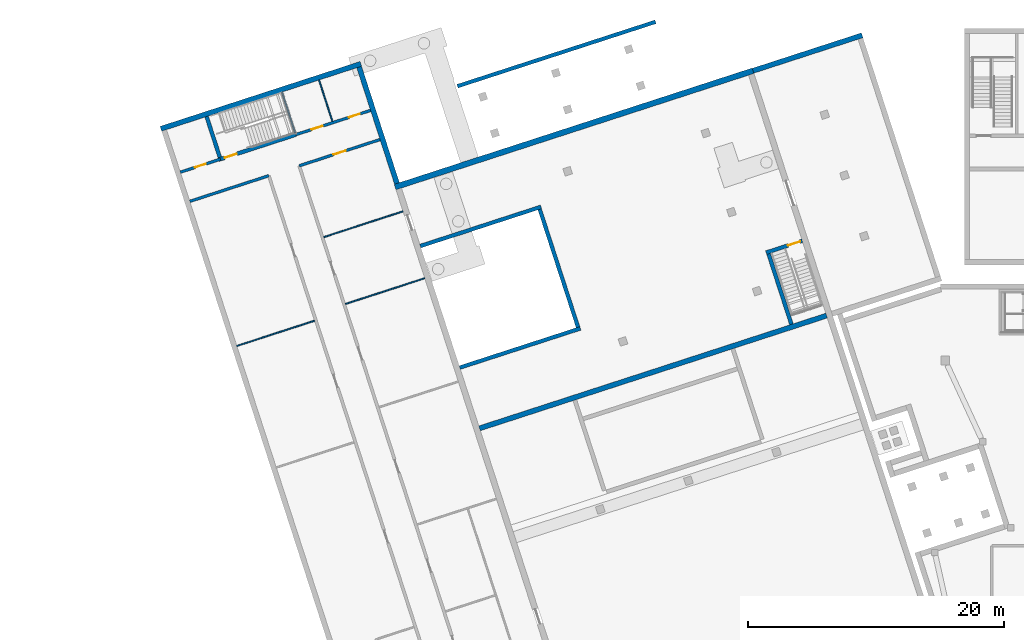
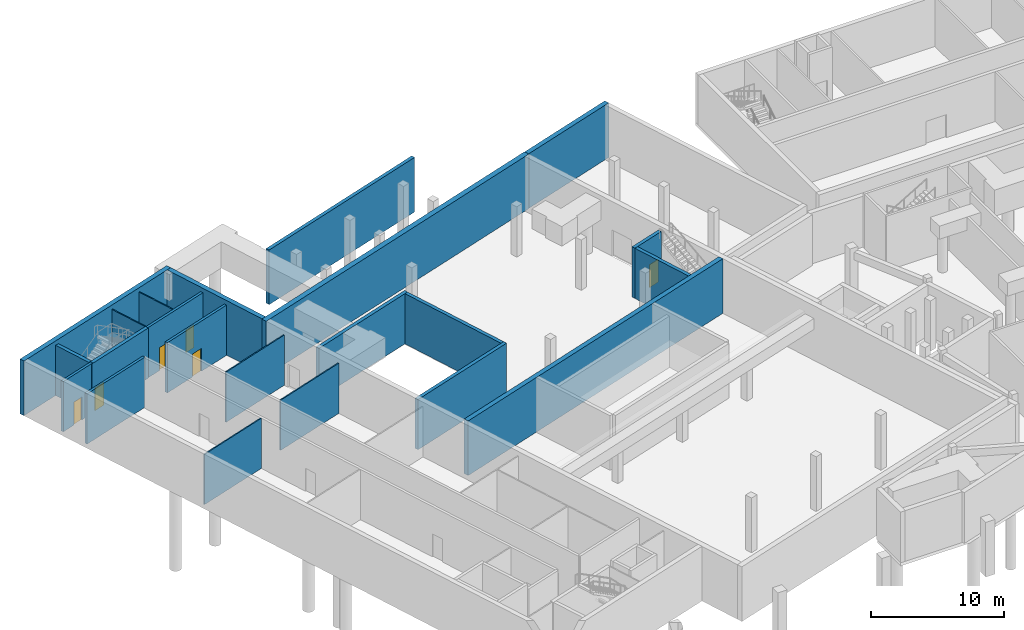
# One storey, part 7 of 15: 22 walls, 6 doors, 6 openings.
"""IFC4 building model written with IfcOpenShell, lengths in metres."""

from ifc_helpers import new_model, si_unit, direction, frame, frame_2d, origin, place, context, subcontext, project, spatial, rectangle, extrude, material, layer, layer_set, type_object, element, fill, save


model = new_model("IFC4")

# Units and contexts
model_context = context("Model", 3, precision=1e-05, world=origin(), true_north=direction((0.0, 1.0)))
body_context = subcontext(model_context, "Body", "Model", "MODEL_VIEW")
ifc_project = project(units=[si_unit("LENGTHUNIT", "METRE"), si_unit("AREAUNIT", "SQUARE_METRE"), si_unit("VOLUMEUNIT", "CUBIC_METRE"), si_unit("PLANEANGLEUNIT", "RADIAN"), si_unit("MASSUNIT", "GRAM", prefix="KILO")], contexts=[model_context])

# Site, building, storey
site_placement = place(None, origin())
site = spatial("IfcSite", under=ifc_project, at=site_placement, CompositionType="ELEMENT")
building_placement = place(site_placement, origin())
building = spatial("IfcBuilding", under=site, at=building_placement, Name="Tuart Plaza Theatre", CompositionType="ELEMENT")
storey_placement = place(building_placement, frame((0.0, 0.0, -5.0)))
storey = spatial("IfcBuildingStorey", under=building, at=storey_placement, Name="B1", CompositionType="ELEMENT", Elevation=-5.0)

# Walls
ifc_material_1 = material(Name="Plasterboard on steel stud", Category="steel")
ifc_layer_1 = layer(ifc_material_1, 0.10009765625)
ifc_layer_set_1 = layer_set([ifc_layer_1], Name="PARTITION STD100")
wall_type_1 = type_object("IfcWallType", Name="PARTITION STD100", PredefinedType="PARTITIONING", material=ifc_layer_set_1)
wall_1_placement = place(storey_placement, frame((22.565185546875, 75.144287109375, 0.0), z_axis=(0.0, 0.0, 1.0), x_axis=(0.951055405517, 0.309020412977, 0.0)))
element("IfcWall", 1, at=wall_1_placement, inside=storey, type_object=wall_type_1, Name="P208", PredefinedType="PARTITIONING", context=body_context, shape_type="SweptSolid", body=[
    extrude(rectangle(XDim=6.389892578125, YDim=0.10009765625, at=frame_2d((3.19482421875, 0.0))), origin(), (0.0, 0.0, 1.0), 4.60009765625),
])
wall_2_placement = place(storey_placement, frame((30.0478515625, 92.727294921875, 0.0), z_axis=(0.0, 0.0, 1.0), x_axis=(-0.309024191767, 0.951054177691, 0.0)))
element("IfcWall", 2, at=wall_2_placement, inside=storey, type_object=wall_type_1, Name="P213", PredefinedType="PARTITIONING", context=body_context, shape_type="SweptSolid", body=[
    extrude(rectangle(XDim=3.39013671875, YDim=0.10009765625, at=frame_2d((1.695068359375, 0.0))), origin(), (0.0, 0.0, 1.0), 4.60009765625),
])
ifc_material_2 = material(Name="Plasterboard on steel stud", Category="steel")
ifc_layer_2 = layer(ifc_material_2, 0.10009765625)
ifc_layer_set_2 = layer_set([ifc_layer_2], Name="PARTITION STD100 FRL -/120/120")
wall_type_2 = type_object("IfcWallType", Name="PARTITION STD100 FRL -/120/120", PredefinedType="PARTITIONING", material=ifc_layer_set_2)
wall_3_placement = place(storey_placement, frame((31.07470703125, 78.43505859375, 0.0), z_axis=(0.0, 0.0, 1.0), x_axis=(0.951058024796, 0.309012351648, 0.0)))
element("IfcWall", 3, at=wall_3_placement, inside=storey, type_object=wall_type_2, Name="P209", PredefinedType="PARTITIONING", context=body_context, shape_type="SweptSolid", body=[
    extrude(rectangle(XDim=6.514892578125, YDim=0.10009765625, at=frame_2d((3.25732421875, 0.0))), origin(), (0.0, 0.0, 1.0), 4.60009765625),
])
wall_4_placement = place(storey_placement, frame((29.375, 83.665771484375, 0.0), z_axis=(0.0, 0.0, 1.0), x_axis=(0.951061602966, 0.309001338773, 0.0)))
element("IfcWall", 4, at=wall_4_placement, inside=storey, type_object=wall_type_2, Name="P210", PredefinedType="PARTITIONING", context=body_context, shape_type="SweptSolid", body=[
    extrude(rectangle(XDim=6.51513671875, YDim=0.10009765625, at=frame_2d((3.257568359375, 0.0))), origin(), (0.0, 0.0, 1.0), 4.60009765625),
])
ifc_material_3 = material(Name="Plasterboard on steel stud", Category="steel")
ifc_layer_3 = layer(ifc_material_3, 0.10009765625)
ifc_layer_set_3 = layer_set([ifc_layer_3], Name="PARTITION STD100 FRL 120/120/120")
wall_type_3 = type_object("IfcWallType", Name="PARTITION STD100 FRL 120/120/120", PredefinedType="PARTITIONING", material=ifc_layer_set_3)
wall_5_placement = place(storey_placement, frame((27.134765625, 91.82275390625, 0.0), z_axis=(0.0, 0.0, 1.0), x_axis=(-0.309003676349, 0.951060843481, 0.0)))
element("IfcWall", 5, at=wall_5_placement, inside=storey, type_object=wall_type_3, Name="P212", PredefinedType="PARTITIONING", context=body_context, shape_type="SweptSolid", body=[
    extrude(rectangle(XDim=3.35009765625, YDim=0.10009765625, at=frame_2d((1.675048828125, 0.0))), origin(), (0.0, 0.0, 1.0), 4.60009765625),
])
ifc_material_4 = material(Name="Concrete N50 (50 MPa)", Category="concrete")
ifc_layer_4 = layer(ifc_material_4, 0.39990234375)
ifc_layer_set_4 = layer_set([ifc_layer_4], Name="SHEAR WALL RC400 N50 FRL 120/120/120")
wall_type_4 = type_object("IfcWallType", Name="SHEAR WALL RC400 N50 FRL 120/120/120", PredefinedType="SHEAR", material=ifc_layer_set_4)
wall_6_placement = place(storey_placement, frame((41.5615234375, 68.69921875, 0.0), z_axis=(0.0, 0.0, 1.0), x_axis=(0.951058008754, 0.309012401021, 0.0)))
element("IfcWall", 6, at=wall_6_placement, inside=storey, type_object=wall_type_4, Name="W12", PredefinedType="SHEAR", context=body_context, shape_type="SweptSolid", body=[
    extrude(rectangle(XDim=28.5498046875, YDim=0.39990234375, at=frame_2d((14.27490234375, 0.0))), origin(), (0.0, 0.0, 1.0), 5.0),
])
ifc_material_5 = material(Name="Concrete N50 (50 MPa)", Category="concrete")
ifc_layer_5 = layer(ifc_material_5, 0.449951171875)
ifc_layer_set_5 = layer_set([ifc_layer_5], Name="SHEAR WALL RC450 N50 FRL 120/120/120")
wall_type_5 = type_object("IfcWallType", Name="SHEAR WALL RC450 N50 FRL 120/120/120", PredefinedType="SHEAR", material=ifc_layer_set_5)
wall_7_placement = place(storey_placement, frame((34.953125, 87.581298828125, 0.0), z_axis=(0.0, 0.0, 1.0), x_axis=(0.951059165148, 0.309008841924, 0.0)))
element("IfcWall", 7, at=wall_7_placement, inside=storey, type_object=wall_type_5, Name="W11", PredefinedType="SHEAR", context=body_context, shape_type="SweptSolid", body=[
    extrude(rectangle(XDim=29.4501953125, YDim=0.449951171875, at=frame_2d((14.72509765625, 0.0))), origin(), (0.0, 0.0, 1.0), 5.0),
])
ifc_material_6 = material(Name="Concrete N40 (40 MPa)", Category="concrete")
ifc_layer_6 = layer(ifc_material_6, 0.219970703125)
ifc_layer_set_6 = layer_set([ifc_layer_6], Name="WALL RC220 LB FRL 120/120/120")
wall_type_6 = type_object("IfcWallType", Name="WALL RC220 LB FRL 120/120/120", PredefinedType="SOLIDWALL", material=ifc_layer_set_6)
wall_8_placement = place(storey_placement, frame((18.8876953125, 86.4619140625, 0.0), z_axis=(0.0, 0.0, 1.0), x_axis=(0.951059735424, 0.30900708674, 0.0)))
element("IfcWall", 8, at=wall_8_placement, inside=storey, type_object=wall_type_6, Name="W499", PredefinedType="SOLIDWALL", context=body_context, shape_type="SweptSolid", body=[
    extrude(rectangle(XDim=6.5, YDim=0.219970703125, at=frame_2d((3.25, 0.0))), origin(), (0.0, 0.0, 1.0), 4.60009765625),
])

# Wall, opening, door
wall_9_placement = place(storey_placement, frame((27.447265625, 89.2431640625, 0.0), z_axis=(0.0, 0.0, 1.0), x_axis=(0.95105699893, 0.309015508975, 0.0)))
wall_9 = element("IfcWall", 9, at=wall_9_placement, inside=storey, type_object=wall_type_6, Name="W500", PredefinedType="SOLIDWALL", context=body_context, shape_type="SweptSolid", body=[
    extrude(rectangle(XDim=6.64990234375, YDim=0.219970703125, at=frame_2d((3.324951171875, 0.0))), origin(), (0.0, 0.0, 1.0), 4.60009765625),
])
opening_1_placement = place(wall_9_placement, frame((2.824951171875, 0.0, 0.0)))
opening_1 = element("IfcOpeningElement", 10, at=opening_1_placement, cuts=wall_9, Name="Opening B1-019", PredefinedType="OPENING", context=body_context, shape_type="SweptSolid", body=[
    extrude(rectangle(XDim=1.0, YDim=2.10009765625, at=frame_2d((0.5, 1.050048828125))), frame((0.0, 0.119873046875, 0.0), z_axis=(0.0, -1.0, 0.0), x_axis=(1.0, 0.0, 0.0)), (0.0, 0.0, 1.0), 0.239990234375),
])
ifc_material_7 = material(Name="Timber", Category="wood")
door_type_1 = type_object("IfcDoorType", Name="DOOR 1000x2100 timber single swing FRL -/120/30", OperationType="SINGLE_SWING_LEFT", PredefinedType="DOOR", material=ifc_material_7)
door_1_placement = place(opening_1_placement, frame((1.0, 0.0, 0.0), z_axis=(0.0, 0.0, 1.0), x_axis=(-1.0, 0.0, 0.0)))
door_1 = element("IfcDoor", 11, at=door_1_placement, inside=storey, type_object=door_type_1, Name="B1-019", OperationType="SINGLE_SWING_LEFT", OverallHeight=2.10009765625, OverallWidth=1.0, PredefinedType="DOOR", context=body_context, shape_type="SweptSolid", body=[
    extrude(rectangle(XDim=1.0, YDim=2.10009765625, at=frame_2d((0.5, 1.050048828125))), frame((0.0, 0.02490234375, 0.0), z_axis=(0.0, -1.0, 0.0), x_axis=(1.0, 0.0, 0.0)), (0.0, 0.0, 1.0), 0.050048828125),
])
fill(opening_1, door_1)

wall_10_placement = place(storey_placement, frame((18.146240234375, 88.744384765625, 0.0), z_axis=(0.0, 0.0, 1.0), x_axis=(0.951053095941, 0.309027520945, 0.0)))
wall_10 = element("IfcWall", 12, at=wall_10_placement, inside=storey, type_object=wall_type_6, Name="W501", PredefinedType="SOLIDWALL", context=body_context, shape_type="SweptSolid", body=[
    extrude(rectangle(XDim=3.300048828125, YDim=0.219970703125, at=frame_2d((1.64990234375, 0.0))), origin(), (0.0, 0.0, 1.0), 4.60009765625),
])
opening_2_placement = place(wall_10_placement, frame((1.199951171875, 0.0, 0.0)))
opening_2 = element("IfcOpeningElement", 13, at=opening_2_placement, cuts=wall_10, Name="Opening B1-007", PredefinedType="OPENING", context=body_context, shape_type="SweptSolid", body=[
    extrude(rectangle(XDim=0.89990234375, YDim=2.10009765625, at=frame_2d((0.449951171875, 1.050048828125))), frame((0.0, 0.119873046875, 0.0), z_axis=(0.0, -1.0, 0.0), x_axis=(1.0, 0.0, 0.0)), (0.0, 0.0, 1.0), 0.239990234375),
])
ifc_material_8 = material(Name="Timber", Category="wood")
door_type_2 = type_object("IfcDoorType", Name="DOOR 900x2100 timber single swing FRL -/120/30", OperationType="SINGLE_SWING_LEFT", PredefinedType="DOOR", material=ifc_material_8)
door_2_placement = place(opening_2_placement, origin())
door_2 = element("IfcDoor", 14, at=door_2_placement, inside=storey, type_object=door_type_2, Name="B1-007", OperationType="SINGLE_SWING_LEFT", OverallHeight=2.10009765625, OverallWidth=0.89990234375, PredefinedType="DOOR", context=body_context, shape_type="SweptSolid", body=[
    extrude(rectangle(XDim=0.89990234375, YDim=2.10009765625, at=frame_2d((0.449951171875, 1.050048828125))), frame((0.0, 0.02490234375, 0.0), z_axis=(0.0, -1.0, 0.0), x_axis=(1.0, 0.0, 0.0)), (0.0, 0.0, 1.0), 0.050048828125),
])
fill(opening_2, door_2)

# Wall, openings, doors
wall_11_placement = place(storey_placement, frame((27.18115234375, 91.68017578125, 0.0), z_axis=(0.0, 0.0, 1.0), x_axis=(0.951061487132, 0.309001695293, 0.0)))
wall_11 = element("IfcWall", 15, at=wall_11_placement, inside=storey, type_object=wall_type_6, Name="W502", PredefinedType="SOLIDWALL", context=body_context, shape_type="SweptSolid", body=[
    extrude(rectangle(XDim=6.150146484375, YDim=0.219970703125, at=frame_2d((3.0751953125, 0.0))), origin(), (0.0, 0.0, 1.0), 4.60009765625),
])
opening_3_placement = place(wall_11_placement, frame((1.29296875, 0.0, 0.0)))
opening_3 = element("IfcOpeningElement", 16, at=opening_3_placement, cuts=wall_11, Name="Opening B1-008", PredefinedType="OPENING", context=body_context, shape_type="SweptSolid", body=[
    extrude(rectangle(XDim=0.89990234375, YDim=2.10009765625, at=frame_2d((0.449951171875, 1.050048828125))), frame((0.0, 0.119873046875, 0.0), z_axis=(0.0, -1.0, 0.0), x_axis=(1.0, 0.0, 0.0)), (0.0, 0.0, 1.0), 0.239990234375),
])
opening_4_placement = place(wall_11_placement, frame((4.371337890625, 0.0, 0.0)))
opening_4 = element("IfcOpeningElement", 17, at=opening_4_placement, cuts=wall_11, Name="Opening B1-009", PredefinedType="OPENING", context=body_context, shape_type="SweptSolid", body=[
    extrude(rectangle(XDim=0.89990234375, YDim=2.10009765625, at=frame_2d((0.449951171875, 1.050048828125))), frame((0.0, 0.119873046875, 0.0), z_axis=(0.0, -1.0, 0.0), x_axis=(1.0, 0.0, 0.0)), (0.0, 0.0, 1.0), 0.239990234375),
])
door_3_placement = place(opening_3_placement, origin())
door_3 = element("IfcDoor", 18, at=door_3_placement, inside=storey, type_object=door_type_2, Name="B1-008", OperationType="SINGLE_SWING_RIGHT", OverallHeight=2.10009765625, OverallWidth=0.89990234375, PredefinedType="DOOR", context=body_context, shape_type="SweptSolid", body=[
    extrude(rectangle(XDim=0.89990234375, YDim=2.10009765625, at=frame_2d((0.449951171875, 1.050048828125))), frame((0.0, 0.02490234375, 0.0), z_axis=(0.0, -1.0, 0.0), x_axis=(1.0, 0.0, 0.0)), (0.0, 0.0, 1.0), 0.050048828125),
])
fill(opening_3, door_3)
door_4_placement = place(opening_4_placement, origin())
door_4 = element("IfcDoor", 19, at=door_4_placement, inside=storey, type_object=door_type_2, Name="B1-009", OperationType="SINGLE_SWING_LEFT", OverallHeight=2.10009765625, OverallWidth=0.89990234375, PredefinedType="DOOR", context=body_context, shape_type="SweptSolid", body=[
    extrude(rectangle(XDim=0.89990234375, YDim=2.10009765625, at=frame_2d((0.449951171875, 1.050048828125))), frame((0.0, 0.02490234375, 0.0), z_axis=(0.0, -1.0, 0.0), x_axis=(1.0, 0.0, 0.0)), (0.0, 0.0, 1.0), 0.050048828125),
])
fill(opening_4, door_4)

# Wall, opening, door
ifc_material_9 = material(Name="Concrete N40 (40 MPa)", Category="concrete")
ifc_layer_7 = layer(ifc_material_9, 0.300048828125)
ifc_layer_set_7 = layer_set([ifc_layer_7], Name="WALL RC300 LB FRL 120/120/120")
wall_type_7 = type_object("IfcWallType", Name="WALL RC300 LB FRL 120/120/120", PredefinedType="SOLIDWALL", material=ifc_layer_set_7)
wall_12_placement = place(storey_placement, frame((27.18115234375, 91.68017578125, 0.0), z_axis=(0.0, 0.0, 1.0), x_axis=(-0.951051301895, -0.309033042189, 0.0)))
wall_12 = element("IfcWall", 20, at=wall_12_placement, inside=storey, type_object=wall_type_7, Name="W113", PredefinedType="SOLIDWALL", context=body_context, shape_type="SweptSolid", body=[
    extrude(rectangle(XDim=6.35009765625, YDim=0.300048828125, at=frame_2d((3.175048828125, 0.0))), origin(), (0.0, 0.0, 1.0), 4.60009765625),
])
opening_5_placement = place(wall_12_placement, frame((4.85009765625, 0.0, 0.0)))
opening_5 = element("IfcOpeningElement", 21, at=opening_5_placement, cuts=wall_12, Name="Opening B1-021", PredefinedType="OPENING", context=body_context, shape_type="SweptSolid", body=[
    extrude(rectangle(XDim=1.0, YDim=2.10009765625, at=frame_2d((0.5, 1.050048828125))), frame((0.0, 0.159912109375, 0.0), z_axis=(0.0, -1.0, 0.0), x_axis=(1.0, 0.0, 0.0)), (0.0, 0.0, 1.0), 0.320068359375),
])
door_5_placement = place(opening_5_placement, frame((1.0, 0.0, 0.0), z_axis=(0.0, 0.0, 1.0), x_axis=(-1.0, 0.0, 0.0)))
door_5 = element("IfcDoor", 22, at=door_5_placement, inside=storey, type_object=door_type_1, Name="B1-021", OperationType="SINGLE_SWING_RIGHT", OverallHeight=2.10009765625, OverallWidth=1.0, PredefinedType="DOOR", context=body_context, shape_type="SweptSolid", body=[
    extrude(rectangle(XDim=1.0, YDim=2.10009765625, at=frame_2d((0.5, 1.050048828125))), frame((0.0, 0.02490234375, 0.0), z_axis=(0.0, -1.0, 0.0), x_axis=(1.0, 0.0, 0.0)), (0.0, 0.0, 1.0), 0.050048828125),
])
fill(opening_5, door_5)

# Wall
wall_13_placement = place(storey_placement, frame((21.23828125, 89.906982421875, 0.0), z_axis=(0.0, 0.0, 1.0), x_axis=(-0.309003676349, 0.951060843481, 0.0)))
element("IfcWall", 23, at=wall_13_placement, inside=storey, type_object=wall_type_7, Name="W114", PredefinedType="SOLIDWALL", context=body_context, shape_type="SweptSolid", body=[
    extrude(rectangle(XDim=3.35009765625, YDim=0.300048828125, at=frame_2d((1.675048828125, 0.0))), origin(), (0.0, 0.0, 1.0), 4.60009765625),
])

# Wall, opening, door
wall_14_placement = place(storey_placement, frame((66.813720703125, 83.37060546875, 0.0), z_axis=(0.0, 0.0, 1.0), x_axis=(-0.951044320459, -0.30905452678, 0.0)))
wall_14 = element("IfcWall", 24, at=wall_14_placement, inside=storey, type_object=wall_type_7, Name="W162", PredefinedType="SOLIDWALL", context=body_context, shape_type="SweptSolid", body=[
    extrude(rectangle(XDim=2.97509765625, YDim=0.300048828125, at=frame_2d((1.487548828125, 0.0))), origin(), (0.0, 0.0, 1.0), 4.60009765625),
])
opening_6_placement = place(wall_14_placement, frame((0.175048828125, 0.0, 0.0)))
opening_6 = element("IfcOpeningElement", 25, at=opening_6_placement, cuts=wall_14, Name="Opening B1-022", PredefinedType="OPENING", context=body_context, shape_type="SweptSolid", body=[
    extrude(rectangle(XDim=1.0, YDim=2.10009765625, at=frame_2d((0.5, 1.050048828125))), frame((0.0, 0.159912109375, 0.0), z_axis=(0.0, -1.0, 0.0), x_axis=(1.0, 0.0, 0.0)), (0.0, 0.0, 1.0), 0.320068359375),
])
door_6_placement = place(opening_6_placement, origin())
door_6 = element("IfcDoor", 26, at=door_6_placement, inside=storey, type_object=door_type_1, Name="B1-022", OperationType="SINGLE_SWING_RIGHT", OverallHeight=2.10009765625, OverallWidth=1.0, PredefinedType="DOOR", context=body_context, shape_type="SweptSolid", body=[
    extrude(rectangle(XDim=1.0, YDim=2.10009765625, at=frame_2d((0.5, 1.050048828125))), frame((0.0, 0.02490234375, 0.0), z_axis=(0.0, -1.0, 0.0), x_axis=(1.0, 0.0, 0.0)), (0.0, 0.0, 1.0), 0.050048828125),
])
fill(opening_6, door_6)

# Walls
wall_15_placement = place(storey_placement, frame((64.17333984375, 82.35498046875, 0.0), z_axis=(0.0, 0.0, 1.0), x_axis=(0.309008023519, -0.951059431056, 0.0)))
element("IfcWall", 27, at=wall_15_placement, inside=storey, type_object=wall_type_7, Name="W163", PredefinedType="SOLIDWALL", context=body_context, shape_type="SweptSolid", body=[
    extrude(rectangle(XDim=5.800048828125, YDim=0.300048828125, at=frame_2d((2.89990234375, 0.0))), origin(), (0.0, 0.0, 1.0), 4.60009765625),
])
wall_16_placement = place(storey_placement, frame((40.016357421875, 73.454345703125, 0.0), z_axis=(0.0, 0.0, 1.0), x_axis=(0.951051963279, 0.309031006768, 0.0)))
element("IfcWall", 28, at=wall_16_placement, inside=storey, type_object=wall_type_7, Name="W244", PredefinedType="SOLIDWALL", context=body_context, shape_type="SweptSolid", body=[
    extrude(rectangle(XDim=9.925048828125, YDim=0.300048828125, at=frame_2d((4.96240234375, 0.0))), origin(), (0.0, 0.0, 1.0), 4.60009765625),
])
wall_17_placement = place(storey_placement, frame((49.2666015625, 76.61767578125, 0.0), z_axis=(0.0, 0.0, 1.0), x_axis=(-0.309000135, 0.951061994073, 0.0)))
element("IfcWall", 29, at=wall_17_placement, inside=storey, type_object=wall_type_7, Name="W245", PredefinedType="SOLIDWALL", context=body_context, shape_type="SweptSolid", body=[
    extrude(rectangle(XDim=9.699951171875, YDim=0.300048828125, at=frame_2d((4.85009765625, 0.0))), origin(), (0.0, 0.0, 1.0), 4.60009765625),
])
wall_18_placement = place(storey_placement, frame((46.365478515625, 86.031982421875, 0.0), z_axis=(0.0, 0.0, 1.0), x_axis=(-0.951051963279, -0.309031006768, 0.0)))
element("IfcWall", 30, at=wall_18_placement, inside=storey, type_object=wall_type_7, Name="W246", PredefinedType="SOLIDWALL", context=body_context, shape_type="SweptSolid", body=[
    extrude(rectangle(XDim=9.925048828125, YDim=0.300048828125, at=frame_2d((4.96240234375, 0.0))), origin(), (0.0, 0.0, 1.0), 4.60009765625),
])
wall_19_placement = place(storey_placement, frame((39.827880859375, 95.473876953125, 0.0), z_axis=(0.0, 0.0, 1.0), x_axis=(0.951058391285, 0.309011223689, 0.0)))
element("IfcWall", 31, at=wall_19_placement, inside=storey, type_object=wall_type_7, Name="W1555", PredefinedType="SOLIDWALL", context=body_context, shape_type="SweptSolid", body=[
    extrude(rectangle(XDim=16.300048828125, YDim=0.300048828125, at=frame_2d((8.14990234375, 0.0))), origin(), (0.0, 0.0, 1.0), 5.0),
])
ifc_material_10 = material(Name="Concrete N40 (40 MPa)", Category="concrete")
ifc_layer_8 = layer(ifc_material_10, 0.39990234375)
ifc_layer_set_8 = layer_set([ifc_layer_8], Name="WALL RC400 LB FRL 120/120/120")
wall_type_8 = type_object("IfcWallType", Name="WALL RC400 LB FRL 120/120/120", PredefinedType="SOLIDWALL", material=ifc_layer_set_8)
wall_20_placement = place(storey_placement, frame((16.622314453125, 92.1396484375, 0.0), z_axis=(0.0, 0.0, 1.0), x_axis=(0.951054352744, 0.30902365302, 0.0)))
element("IfcWall", 32, at=wall_20_placement, inside=storey, type_object=wall_type_8, Name="W15", PredefinedType="SOLIDWALL", context=body_context, shape_type="SweptSolid", body=[
    extrude(rectangle(XDim=16.4501953125, YDim=0.39990234375, at=frame_2d((8.22509765625, 0.0))), origin(), (0.0, 0.0, 1.0), 5.0),
])
wall_21_placement = place(storey_placement, frame((32.138916015625, 96.970947265625, 0.0), z_axis=(0.0, 0.0, 1.0), x_axis=(0.30901284874, -0.951057863284, 0.0)))
element("IfcWall", 33, at=wall_21_placement, inside=storey, type_object=wall_type_8, Name="W16", PredefinedType="SOLIDWALL", context=body_context, shape_type="SweptSolid", body=[
    extrude(rectangle(XDim=9.57470703125, YDim=0.39990234375, at=frame_2d((4.787353515625, 0.0))), origin(), (0.0, 0.0, 1.0), 5.0),
])
wall_22_placement = place(storey_placement, frame((71.49755859375, 99.455078125, 0.0), z_axis=(0.0, 0.0, 1.0), x_axis=(-0.951055256492, -0.309020871625, 0.0)))
element("IfcWall", 34, at=wall_22_placement, inside=storey, type_object=wall_type_8, Name="W19", PredefinedType="SOLIDWALL", context=body_context, shape_type="SweptSolid", body=[
    extrude(rectangle(XDim=8.974853515625, YDim=0.39990234375, at=frame_2d((4.4873046875, 0.0))), origin(), (0.0, 0.0, 1.0), 5.0),
])

save(model, "model.ifc")
